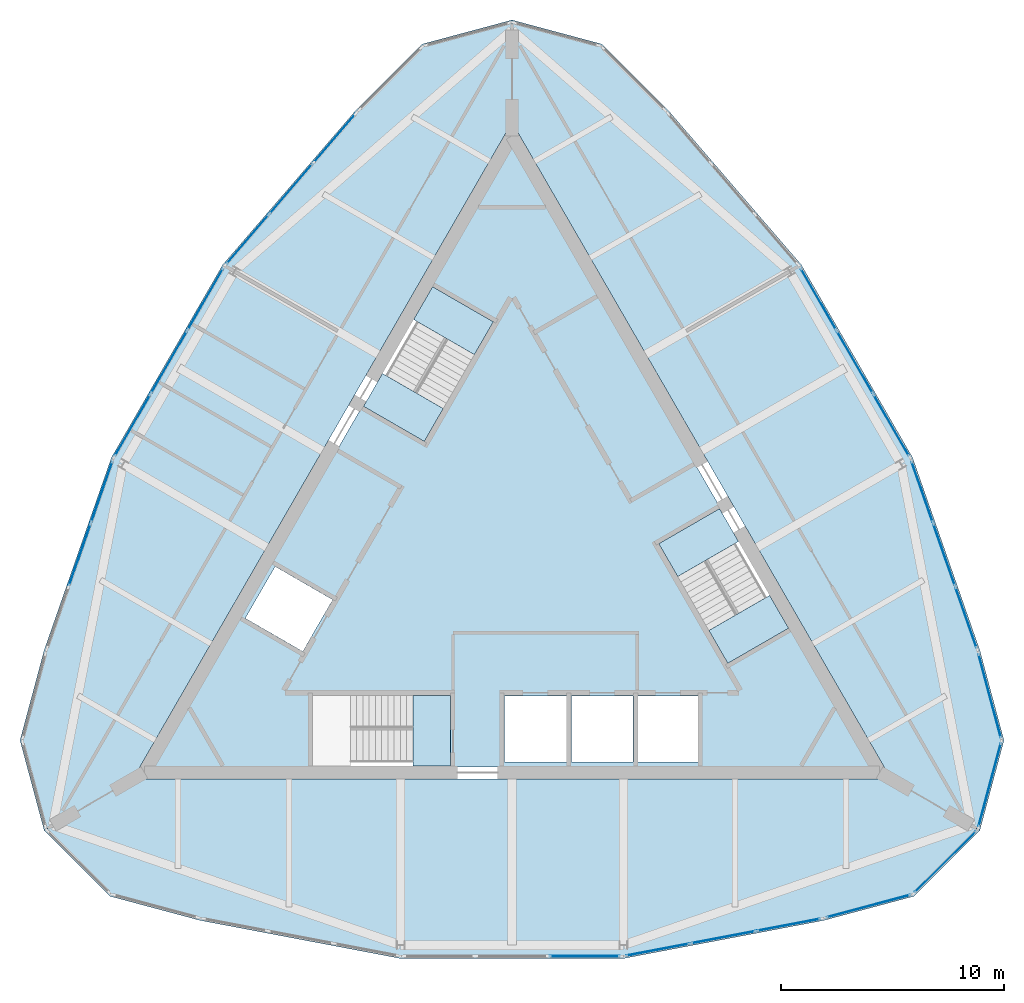
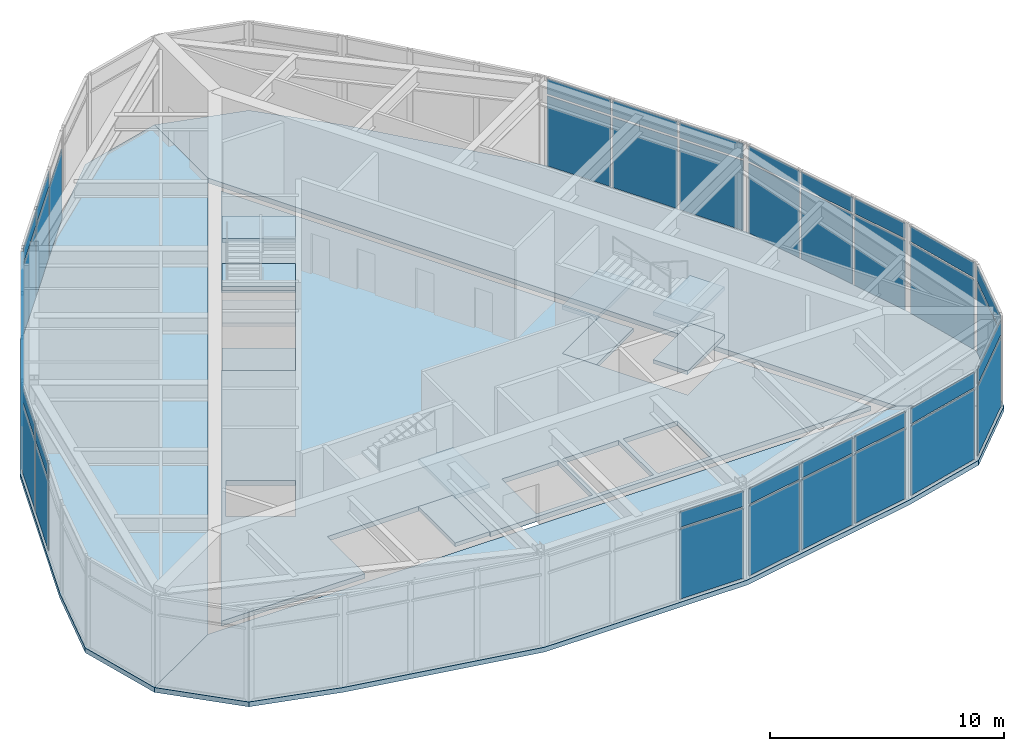
# One storey, part 5 of 9: 43 plates, 14 slabs, 14 elements without a shape of their own.
"""IFC4 building model written with IfcOpenShell, lengths in metres."""

from ifc_helpers import new_model, si_unit, direction, frame, origin, origin_2d, place, context, subcontext, project, spatial, polyline, rectangle, outline, extrude, material, layer, layer_set, type_object, element, aggregate, save


model = new_model("IFC4")

# Units and contexts
model_context = context("Model", 3, precision=1e-05, world=origin(), true_north=direction((0.0, 1.0)))
body_context = subcontext(model_context, "Body", "Model", "MODEL_VIEW")
ifc_project = project(units=[si_unit("LENGTHUNIT", "METRE"), si_unit("AREAUNIT", "SQUARE_METRE"), si_unit("VOLUMEUNIT", "CUBIC_METRE"), si_unit("PLANEANGLEUNIT", "RADIAN"), si_unit("MASSUNIT", "GRAM", prefix="KILO")], contexts=[model_context])

# Site, building, storey
site_placement = place(None, origin())
site = spatial("IfcSite", under=ifc_project, at=site_placement, CompositionType="ELEMENT")
building_placement = place(site_placement, origin())
building = spatial("IfcBuilding", under=site, at=building_placement, Name="Trikona Tower", CompositionType="ELEMENT")
storey_placement = place(building_placement, frame((0.0, 0.0, 292.800048828125)))
storey = spatial("IfcBuildingStorey", under=building, at=storey_placement, Name="L76", CompositionType="ELEMENT", Elevation=292.800048828125)

# Slabs
ifc_material_1 = material(Name="Concrete f'c 5000 psi lightweight on composite steel deck", Category="concrete")
ifc_layer_1 = layer(ifc_material_1, 0.25)
ifc_layer_set_1 = layer_set([ifc_layer_1], Name="Composite floor slab 250")
slab_type_1 = type_object("IfcSlabType", Name="Composite floor slab 250", PredefinedType="FLOOR", material=ifc_layer_set_1)
slab_1_placement = place(storey_placement, frame((0.0, 0.0, -0.25)))
element("IfcSlab", 1, at=slab_1_placement, inside=storey, type_object=slab_type_1, Name="Floor slab L76 core", PredefinedType="FLOOR", context=body_context, shape_type="SweptSolid", body=[
    extrude(outline(polyline([(-16.06689453125, -9.2763671875), (-8.949951171875, -9.2763671875), (-8.949951171875, -6.076416015625), (-2.75, -6.076416015625), (-2.75, -9.2763671875), (16.06689453125, -9.2763671875), (12.45849609375, -3.026123046875), (9.687255859375, -4.626220703125), (6.587158203125, 0.7431640625), (9.3583984375, 2.34326171875), (0.0, 18.552490234375), (-3.6083984375, 12.302490234375), (-0.837158203125, 10.702392578125), (-3.937255859375, 5.3330078125), (-6.70849609375, 6.93310546875), (-16.06689453125, -9.2763671875)]), holes=[polyline([(5.659912109375, -9.06640625), (8.340087890625, -9.06640625), (8.340087890625, -6.086181640625), (5.659912109375, -6.086181640625), (5.659912109375, -9.06640625)]), polyline([(5.43994140625, -9.06640625), (5.43994140625, -6.086181640625), (2.659912109375, -6.086181640625), (2.659912109375, -9.06640625), (5.43994140625, -9.06640625)]), polyline([(2.43994140625, -6.086181640625), (-0.340087890625, -6.086181640625), (-0.340087890625, -9.06640625), (2.43994140625, -9.06640625), (2.43994140625, -6.086181640625)]), polyline([(-11.9716796875, -2.602783203125), (-9.390869140625, -4.093017578125), (-8.05078125, -1.77197265625), (-10.631591796875, -0.281982421875), (-11.9716796875, -2.602783203125)])]), origin(), (0.0, 0.0, 1.0), 0.25),
])
slab_2_placement = place(storey_placement, frame((0.0, 0.0, -0.25)))
element("IfcSlab", 2, at=slab_2_placement, inside=storey, type_object=slab_type_1, Name="Floor slab L76 south", PredefinedType="FLOOR", context=body_context, shape_type="SweptSolid", body=[
    extrude(outline(polyline([(21.0, -12.12451171875), (17.01953125, -9.826416015625), (-17.01953125, -9.826416015625), (-21.0, -12.12451171875), (-18.04150390625, -15.0830078125), (-14.0, -16.165771484375), (-5.0, -17.875732421875), (5.0, -17.875732421875), (14.0, -16.165771484375), (18.04150390625, -15.0830078125), (21.0, -12.12451171875)])), origin(), (0.0, 0.0, 1.0), 0.25),
])
slab_3_placement = place(storey_placement, frame((0.0, 0.0, -0.25)))
element("IfcSlab", 3, at=slab_3_placement, inside=storey, type_object=slab_type_1, Name="Floor slab L76 north-east", PredefinedType="FLOOR", context=body_context, shape_type="SweptSolid", body=[
    extrude(outline(polyline([(4.04150390625, 23.165771484375), (0.0, 24.248779296875), (0.0, 19.652587890625), (17.01953125, -9.826416015625), (21.0, -12.12451171875), (22.0830078125, -8.0830078125), (21.0, -4.04150390625), (17.98095703125, 4.60791015625), (12.98095703125, 13.26806640625), (7.0, 20.207275390625), (4.04150390625, 23.165771484375)])), origin(), (0.0, 0.0, 1.0), 0.25),
])
slab_4_placement = place(storey_placement, frame((0.0, 0.0, -0.25)))
element("IfcSlab", 4, at=slab_4_placement, inside=storey, type_object=slab_type_1, Name="Floor slab L76 north-west", PredefinedType="FLOOR", context=body_context, shape_type="SweptSolid", body=[
    extrude(outline(polyline([(0.0, 19.652587890625), (0.0, 24.248779296875), (-4.04150390625, 23.165771484375), (-7.0, 20.207275390625), (-12.98095703125, 13.26806640625), (-17.98095703125, 4.60791015625), (-21.0, -4.04150390625), (-22.0830078125, -8.0830078125), (-21.0, -12.12451171875), (-17.01953125, -9.826416015625), (0.0, 19.652587890625)])), origin(), (0.0, 0.0, 1.0), 0.25),
])

# Curtain wall, plates
ifc_material_2 = material(Name="Aluminium curtain wall system", Category="aluminium")
curtain_wall_type = type_object("IfcCurtainWallType", Name="Curtain wall OB", PredefinedType="NOTDEFINED", material=ifc_material_2)
curtain_wall_1_placement = place(storey_placement, origin())
curtain_wall_1 = element("IfcCurtainWall", 5, at=curtain_wall_1_placement, inside=storey, type_object=curtain_wall_type, Name="Curtain wall OB L76", PredefinedType="NOTDEFINED")
ifc_material_3 = material(Name="Clear insulating glass unit", Category="glass")
ifc_layer_2 = layer(ifc_material_3, 0.028076171875)
ifc_layer_set_2 = layer_set([ifc_layer_2], Name="Glass panel OB")
plate_type = type_object("IfcPlateType", Name="Glass panel OB", PredefinedType="CURTAIN_PANEL", material=ifc_layer_set_2)
plate_1_placement = place(storey_placement, frame((3.268310546875, -17.77587890625, 0.10009765625), z_axis=(0.0, 0.0, 1.0), x_axis=(1.0, 0.0, 0.0)))
plate_1 = element("IfcPlate", 6, at=plate_1_placement, type_object=plate_type, Name="CW-OB panel 3.1", PredefinedType="CURTAIN_PANEL", context=body_context, shape_type="SweptSolid", body=[
    extrude(rectangle(XDim=3.143310546875, YDim=0.028076171875, at=origin_2d()), origin(), (0.0, 0.0, 1.0), 3.64990234375),
])
plate_2_placement = place(storey_placement, frame((3.268310546875, -17.77587890625, 3.85009765625), z_axis=(0.0, 0.0, 1.0), x_axis=(1.0, 0.0, 0.0)))
plate_2 = element("IfcPlate", 7, at=plate_2_placement, type_object=plate_type, Name="CW-OB panel 3.2", PredefinedType="CURTAIN_PANEL", context=body_context, shape_type="SweptSolid", body=[
    extrude(rectangle(XDim=3.143310546875, YDim=0.028076171875, at=origin_2d()), origin(), (0.0, 0.0, 1.0), 0.800048828125),
])
aggregate(curtain_wall_1, [plate_1, plate_2])

curtain_wall_2_placement = place(storey_placement, origin())
curtain_wall_2 = element("IfcCurtainWall", 8, at=curtain_wall_2_placement, inside=storey, type_object=curtain_wall_type, Name="Curtain wall OB L76", PredefinedType="NOTDEFINED")
plate_3_placement = place(storey_placement, frame((6.545166015625, -17.48046875, 0.10009765625), z_axis=(0.0, 0.0, 1.0), x_axis=(0.982424431419, 0.186660752571, 0.0)))
plate_3 = element("IfcPlate", 9, at=plate_3_placement, type_object=plate_type, Name="CW-OB panel 1.1", PredefinedType="CURTAIN_PANEL", context=body_context, shape_type="SweptSolid", body=[
    extrude(rectangle(XDim=2.86376953125, YDim=0.028076171875, at=origin_2d()), origin(), (0.0, 0.0, 1.0), 3.64990234375),
])
plate_4_placement = place(storey_placement, frame((6.545166015625, -17.48046875, 3.85009765625), z_axis=(0.0, 0.0, 1.0), x_axis=(0.982424431419, 0.186660752571, 0.0)))
plate_4 = element("IfcPlate", 10, at=plate_4_placement, type_object=plate_type, Name="CW-OB panel 1.2", PredefinedType="CURTAIN_PANEL", context=body_context, shape_type="SweptSolid", body=[
    extrude(rectangle(XDim=2.86376953125, YDim=0.028076171875, at=origin_2d()), origin(), (0.0, 0.0, 1.0), 0.800048828125),
])
plate_5_placement = place(storey_placement, frame((9.4814453125, -16.922607421875, 0.10009765625), z_axis=(0.0, 0.0, 1.0), x_axis=(0.982424431419, 0.186660752571, 0.0)))
plate_5 = element("IfcPlate", 11, at=plate_5_placement, type_object=plate_type, Name="CW-OB panel 2.1", PredefinedType="CURTAIN_PANEL", context=body_context, shape_type="SweptSolid", body=[
    extrude(rectangle(XDim=2.91357421875, YDim=0.028076171875, at=origin_2d()), origin(), (0.0, 0.0, 1.0), 3.64990234375),
])
plate_6_placement = place(storey_placement, frame((9.4814453125, -16.922607421875, 3.85009765625), z_axis=(0.0, 0.0, 1.0), x_axis=(0.982424431419, 0.186660752571, 0.0)))
plate_6 = element("IfcPlate", 12, at=plate_6_placement, type_object=plate_type, Name="CW-OB panel 2.2", PredefinedType="CURTAIN_PANEL", context=body_context, shape_type="SweptSolid", body=[
    extrude(rectangle(XDim=2.91357421875, YDim=0.028076171875, at=origin_2d()), origin(), (0.0, 0.0, 1.0), 0.800048828125),
])
plate_7_placement = place(storey_placement, frame((12.41748046875, -16.36474609375, 0.10009765625), z_axis=(0.0, 0.0, 1.0), x_axis=(0.982424431419, 0.186660752571, 0.0)))
plate_7 = element("IfcPlate", 13, at=plate_7_placement, type_object=plate_type, Name="CW-OB panel 3.1", PredefinedType="CURTAIN_PANEL", context=body_context, shape_type="SweptSolid", body=[
    extrude(rectangle(XDim=2.86376953125, YDim=0.028076171875, at=origin_2d()), origin(), (0.0, 0.0, 1.0), 3.64990234375),
])
plate_8_placement = place(storey_placement, frame((12.41748046875, -16.36474609375, 3.85009765625), z_axis=(0.0, 0.0, 1.0), x_axis=(0.982424431419, 0.186660752571, 0.0)))
plate_8 = element("IfcPlate", 14, at=plate_8_placement, type_object=plate_type, Name="CW-OB panel 3.2", PredefinedType="CURTAIN_PANEL", context=body_context, shape_type="SweptSolid", body=[
    extrude(rectangle(XDim=2.86376953125, YDim=0.028076171875, at=origin_2d()), origin(), (0.0, 0.0, 1.0), 0.800048828125),
])
aggregate(curtain_wall_2, [plate_3, plate_4, plate_5, plate_6, plate_7, plate_8])

curtain_wall_3_placement = place(storey_placement, origin())
curtain_wall_3 = element("IfcCurtainWall", 15, at=curtain_wall_3_placement, inside=storey, type_object=curtain_wall_type, Name="Curtain wall OB L76", PredefinedType="NOTDEFINED")
plate_9_placement = place(storey_placement, frame((15.994873046875, -15.52783203125, 0.10009765625), z_axis=(0.0, 0.0, 1.0), x_axis=(0.965923448705, 0.258827918204, 0.0)))
plate_9 = element("IfcPlate", 16, at=plate_9_placement, type_object=plate_type, Name="CW-OB panel 1.1", PredefinedType="CURTAIN_PANEL", context=body_context, shape_type="SweptSolid", body=[
    extrude(rectangle(XDim=3.864013671875, YDim=0.028076171875, at=origin_2d()), origin(), (0.0, 0.0, 1.0), 3.64990234375),
])
plate_10_placement = place(storey_placement, frame((15.994873046875, -15.52783203125, 3.85009765625), z_axis=(0.0, 0.0, 1.0), x_axis=(0.965923448705, 0.258827918204, 0.0)))
plate_10 = element("IfcPlate", 17, at=plate_10_placement, type_object=plate_type, Name="CW-OB panel 1.2", PredefinedType="CURTAIN_PANEL", context=body_context, shape_type="SweptSolid", body=[
    extrude(rectangle(XDim=3.864013671875, YDim=0.028076171875, at=origin_2d()), origin(), (0.0, 0.0, 1.0), 0.800048828125),
])
aggregate(curtain_wall_3, [plate_9, plate_10])

curtain_wall_4_placement = place(storey_placement, origin())
curtain_wall_4 = element("IfcCurtainWall", 18, at=curtain_wall_4_placement, inside=storey, type_object=curtain_wall_type, Name="Curtain wall OB L76", PredefinedType="NOTDEFINED")
plate_11_placement = place(storey_placement, frame((19.449951171875, -13.532958984375, 0.10009765625), z_axis=(0.0, 0.0, 1.0), x_axis=(0.707106781187, 0.707106781187, 0.0)))
plate_11 = element("IfcPlate", 19, at=plate_11_placement, type_object=plate_type, Name="CW-OB panel 1.1", PredefinedType="CURTAIN_PANEL", context=body_context, shape_type="SweptSolid", body=[
    extrude(rectangle(XDim=3.864013671875, YDim=0.028076171875, at=origin_2d()), origin(), (0.0, 0.0, 1.0), 3.64990234375),
])
plate_12_placement = place(storey_placement, frame((19.449951171875, -13.532958984375, 3.85009765625), z_axis=(0.0, 0.0, 1.0), x_axis=(0.707106781187, 0.707106781187, 0.0)))
plate_12 = element("IfcPlate", 20, at=plate_12_placement, type_object=plate_type, Name="CW-OB panel 1.2", PredefinedType="CURTAIN_PANEL", context=body_context, shape_type="SweptSolid", body=[
    extrude(rectangle(XDim=3.864013671875, YDim=0.028076171875, at=origin_2d()), origin(), (0.0, 0.0, 1.0), 0.800048828125),
])
aggregate(curtain_wall_4, [plate_11, plate_12])

curtain_wall_5_placement = place(storey_placement, origin())
curtain_wall_5 = element("IfcCurtainWall", 21, at=curtain_wall_5_placement, inside=storey, type_object=curtain_wall_type, Name="Curtain wall OB L76", PredefinedType="NOTDEFINED")
plate_13_placement = place(storey_placement, frame((21.44482421875, -10.077880859375, 0.10009765625), z_axis=(0.0, 0.0, 1.0), x_axis=(0.258827918204, 0.965923448705, 0.0)))
plate_13 = element("IfcPlate", 22, at=plate_13_placement, type_object=plate_type, Name="CW-OB panel 1.1", PredefinedType="CURTAIN_PANEL", context=body_context, shape_type="SweptSolid", body=[
    extrude(rectangle(XDim=3.864013671875, YDim=0.028076171875, at=origin_2d()), origin(), (0.0, 0.0, 1.0), 3.64990234375),
])
plate_14_placement = place(storey_placement, frame((21.44482421875, -10.077880859375, 3.85009765625), z_axis=(0.0, 0.0, 1.0), x_axis=(0.258827918204, 0.965923448705, 0.0)))
plate_14 = element("IfcPlate", 23, at=plate_14_placement, type_object=plate_type, Name="CW-OB panel 1.2", PredefinedType="CURTAIN_PANEL", context=body_context, shape_type="SweptSolid", body=[
    extrude(rectangle(XDim=3.864013671875, YDim=0.028076171875, at=origin_2d()), origin(), (0.0, 0.0, 1.0), 0.800048828125),
])
aggregate(curtain_wall_5, [plate_13, plate_14])

curtain_wall_6_placement = place(storey_placement, origin())
curtain_wall_6 = element("IfcCurtainWall", 24, at=curtain_wall_6_placement, inside=storey, type_object=curtain_wall_type, Name="Curtain wall OB L76", PredefinedType="NOTDEFINED")
plate_15_placement = place(storey_placement, frame((21.44482421875, -6.088134765625, 0.10009765625), z_axis=(0.0, 0.0, 1.0), x_axis=(-0.258834069983, 0.965921800259, 0.0)))
plate_15 = element("IfcPlate", 25, at=plate_15_placement, type_object=plate_type, Name="CW-OB panel 1.1", PredefinedType="CURTAIN_PANEL", context=body_context, shape_type="SweptSolid", body=[
    extrude(rectangle(XDim=3.864013671875, YDim=0.028076171875, at=origin_2d()), origin(), (0.0, 0.0, 1.0), 3.64990234375),
])
plate_16_placement = place(storey_placement, frame((21.44482421875, -6.088134765625, 3.85009765625), z_axis=(0.0, 0.0, 1.0), x_axis=(-0.258834069983, 0.965921800259, 0.0)))
plate_16 = element("IfcPlate", 26, at=plate_16_placement, type_object=plate_type, Name="CW-OB panel 1.2", PredefinedType="CURTAIN_PANEL", context=body_context, shape_type="SweptSolid", body=[
    extrude(rectangle(XDim=3.864013671875, YDim=0.028076171875, at=origin_2d()), origin(), (0.0, 0.0, 1.0), 0.800048828125),
])
aggregate(curtain_wall_6, [plate_15, plate_16])

curtain_wall_7_placement = place(storey_placement, origin())
curtain_wall_7 = element("IfcCurtainWall", 27, at=curtain_wall_7_placement, inside=storey, type_object=curtain_wall_type, Name="Curtain wall OB L76", PredefinedType="NOTDEFINED")
plate_17_placement = place(storey_placement, frame((20.380859375, -2.571533203125, 0.10009765625), z_axis=(0.0, 0.0, 1.0), x_axis=(-0.329552165935, 0.944137368145, 0.0)))
plate_17 = element("IfcPlate", 28, at=plate_17_placement, type_object=plate_type, Name="CW-OB panel 1.1", PredefinedType="CURTAIN_PANEL", context=body_context, shape_type="SweptSolid", body=[
    extrude(rectangle(XDim=2.86376953125, YDim=0.028076171875, at=origin_2d()), origin(), (0.0, 0.0, 1.0), 3.64990234375),
])
plate_18_placement = place(storey_placement, frame((20.380859375, -2.571533203125, 3.85009765625), z_axis=(0.0, 0.0, 1.0), x_axis=(-0.329552165935, 0.944137368145, 0.0)))
plate_18 = element("IfcPlate", 29, at=plate_18_placement, type_object=plate_type, Name="CW-OB panel 1.2", PredefinedType="CURTAIN_PANEL", context=body_context, shape_type="SweptSolid", body=[
    extrude(rectangle(XDim=2.86376953125, YDim=0.028076171875, at=origin_2d()), origin(), (0.0, 0.0, 1.0), 0.800048828125),
])
plate_19_placement = place(storey_placement, frame((19.39599609375, 0.250244140625, 0.10009765625), z_axis=(0.0, 0.0, 1.0), x_axis=(-0.329552165935, 0.944137368145, 0.0)))
plate_19 = element("IfcPlate", 30, at=plate_19_placement, type_object=plate_type, Name="CW-OB panel 2.1", PredefinedType="CURTAIN_PANEL", context=body_context, shape_type="SweptSolid", body=[
    extrude(rectangle(XDim=2.91357421875, YDim=0.028076171875, at=origin_2d()), origin(), (0.0, 0.0, 1.0), 3.64990234375),
])
plate_20_placement = place(storey_placement, frame((19.39599609375, 0.250244140625, 3.85009765625), z_axis=(0.0, 0.0, 1.0), x_axis=(-0.329552165935, 0.944137368145, 0.0)))
plate_20 = element("IfcPlate", 31, at=plate_20_placement, type_object=plate_type, Name="CW-OB panel 2.2", PredefinedType="CURTAIN_PANEL", context=body_context, shape_type="SweptSolid", body=[
    extrude(rectangle(XDim=2.91357421875, YDim=0.028076171875, at=origin_2d()), origin(), (0.0, 0.0, 1.0), 0.800048828125),
])
plate_21_placement = place(storey_placement, frame((18.4111328125, 3.072021484375, 0.10009765625), z_axis=(0.0, 0.0, 1.0), x_axis=(-0.329552165935, 0.944137368145, 0.0)))
plate_21 = element("IfcPlate", 32, at=plate_21_placement, type_object=plate_type, Name="CW-OB panel 3.1", PredefinedType="CURTAIN_PANEL", context=body_context, shape_type="SweptSolid", body=[
    extrude(rectangle(XDim=2.86376953125, YDim=0.028076171875, at=origin_2d()), origin(), (0.0, 0.0, 1.0), 3.64990234375),
])
plate_22_placement = place(storey_placement, frame((18.4111328125, 3.072021484375, 3.85009765625), z_axis=(0.0, 0.0, 1.0), x_axis=(-0.329552165935, 0.944137368145, 0.0)))
plate_22 = element("IfcPlate", 33, at=plate_22_placement, type_object=plate_type, Name="CW-OB panel 3.2", PredefinedType="CURTAIN_PANEL", context=body_context, shape_type="SweptSolid", body=[
    extrude(rectangle(XDim=2.86376953125, YDim=0.028076171875, at=origin_2d()), origin(), (0.0, 0.0, 1.0), 0.800048828125),
])
aggregate(curtain_wall_7, [plate_17, plate_18, plate_19, plate_20, plate_21, plate_22])

curtain_wall_8_placement = place(storey_placement, origin())
curtain_wall_8 = element("IfcCurtainWall", 34, at=curtain_wall_8_placement, inside=storey, type_object=curtain_wall_type, Name="Curtain wall OB L76", PredefinedType="NOTDEFINED")
plate_23_placement = place(storey_placement, frame((17.028564453125, 6.057373046875, 0.10009765625), z_axis=(0.0, 0.0, 1.0), x_axis=(-0.500005740951, 0.866022089219, 0.0)))
plate_23 = element("IfcPlate", 35, at=plate_23_placement, type_object=plate_type, Name="CW-OB panel 1.1", PredefinedType="CURTAIN_PANEL", context=body_context, shape_type="SweptSolid", body=[
    extrude(rectangle(XDim=3.143310546875, YDim=0.028076171875, at=origin_2d()), origin(), (0.0, 0.0, 1.0), 3.64990234375),
])
plate_24_placement = place(storey_placement, frame((17.028564453125, 6.057373046875, 3.85009765625), z_axis=(0.0, 0.0, 1.0), x_axis=(-0.500005740951, 0.866022089219, 0.0)))
plate_24 = element("IfcPlate", 36, at=plate_24_placement, type_object=plate_type, Name="CW-OB panel 1.2", PredefinedType="CURTAIN_PANEL", context=body_context, shape_type="SweptSolid", body=[
    extrude(rectangle(XDim=3.143310546875, YDim=0.028076171875, at=origin_2d()), origin(), (0.0, 0.0, 1.0), 0.800048828125),
])
plate_25_placement = place(storey_placement, frame((15.394287109375, 8.887939453125, 0.10009765625), z_axis=(0.0, 0.0, 1.0), x_axis=(-0.500005740951, 0.866022089219, 0.0)))
plate_25 = element("IfcPlate", 37, at=plate_25_placement, type_object=plate_type, Name="CW-OB panel 2.1", PredefinedType="CURTAIN_PANEL", context=body_context, shape_type="SweptSolid", body=[
    extrude(rectangle(XDim=3.193359375, YDim=0.028076171875, at=origin_2d()), origin(), (0.0, 0.0, 1.0), 3.64990234375),
])
plate_26_placement = place(storey_placement, frame((15.394287109375, 8.887939453125, 3.85009765625), z_axis=(0.0, 0.0, 1.0), x_axis=(-0.500005740951, 0.866022089219, 0.0)))
plate_26 = element("IfcPlate", 38, at=plate_26_placement, type_object=plate_type, Name="CW-OB panel 2.2", PredefinedType="CURTAIN_PANEL", context=body_context, shape_type="SweptSolid", body=[
    extrude(rectangle(XDim=3.193359375, YDim=0.028076171875, at=origin_2d()), origin(), (0.0, 0.0, 1.0), 0.800048828125),
])
plate_27_placement = place(storey_placement, frame((13.76025390625, 11.71826171875, 0.10009765625), z_axis=(0.0, 0.0, 1.0), x_axis=(-0.500005740951, 0.866022089219, 0.0)))
plate_27 = element("IfcPlate", 39, at=plate_27_placement, type_object=plate_type, Name="CW-OB panel 3.1", PredefinedType="CURTAIN_PANEL", context=body_context, shape_type="SweptSolid", body=[
    extrude(rectangle(XDim=3.143310546875, YDim=0.028076171875, at=origin_2d()), origin(), (0.0, 0.0, 1.0), 3.64990234375),
])
plate_28_placement = place(storey_placement, frame((13.76025390625, 11.71826171875, 3.85009765625), z_axis=(0.0, 0.0, 1.0), x_axis=(-0.500005740951, 0.866022089219, 0.0)))
plate_28 = element("IfcPlate", 40, at=plate_28_placement, type_object=plate_type, Name="CW-OB panel 3.2", PredefinedType="CURTAIN_PANEL", context=body_context, shape_type="SweptSolid", body=[
    extrude(rectangle(XDim=3.143310546875, YDim=0.028076171875, at=origin_2d()), origin(), (0.0, 0.0, 1.0), 0.800048828125),
])
aggregate(curtain_wall_8, [plate_23, plate_24, plate_25, plate_26, plate_27, plate_28])

curtain_wall_9_placement = place(storey_placement, origin())
curtain_wall_9 = element("IfcCurtainWall", 41, at=curtain_wall_9_placement, inside=storey, type_object=curtain_wall_type, Name="Curtain wall OB L76", PredefinedType="NOTDEFINED")
plate_29_placement = place(storey_placement, frame((-7.96337890625, 18.936279296875, 0.10009765625), z_axis=(0.0, 0.0, 1.0), x_axis=(-0.652863914707, -0.757475219973, 0.0)))
plate_29 = element("IfcPlate", 42, at=plate_29_placement, type_object=plate_type, Name="CW-OB panel 1.1", PredefinedType="CURTAIN_PANEL", context=body_context, shape_type="SweptSolid", body=[
    extrude(rectangle(XDim=2.86376953125, YDim=0.028076171875, at=origin_2d()), origin(), (0.0, 0.0, 1.0), 3.64990234375),
])
plate_30_placement = place(storey_placement, frame((-9.914794921875, 16.67236328125, 0.10009765625), z_axis=(0.0, 0.0, 1.0), x_axis=(-0.652863914707, -0.757475219973, 0.0)))
plate_30 = element("IfcPlate", 43, at=plate_30_placement, type_object=plate_type, Name="CW-OB panel 2.1", PredefinedType="CURTAIN_PANEL", context=body_context, shape_type="SweptSolid", body=[
    extrude(rectangle(XDim=2.91357421875, YDim=0.028076171875, at=origin_2d()), origin(), (0.0, 0.0, 1.0), 3.64990234375),
])
plate_31_placement = place(storey_placement, frame((-9.914794921875, 16.67236328125, 3.85009765625), z_axis=(0.0, 0.0, 1.0), x_axis=(-0.652863914707, -0.757475219973, 0.0)))
plate_31 = element("IfcPlate", 44, at=plate_31_placement, type_object=plate_type, Name="CW-OB panel 2.2", PredefinedType="CURTAIN_PANEL", context=body_context, shape_type="SweptSolid", body=[
    extrude(rectangle(XDim=2.91357421875, YDim=0.028076171875, at=origin_2d()), origin(), (0.0, 0.0, 1.0), 0.800048828125),
])
plate_32_placement = place(storey_placement, frame((-11.865966796875, 14.408447265625, 0.10009765625), z_axis=(0.0, 0.0, 1.0), x_axis=(-0.652863914707, -0.757475219973, 0.0)))
plate_32 = element("IfcPlate", 45, at=plate_32_placement, type_object=plate_type, Name="CW-OB panel 3.1", PredefinedType="CURTAIN_PANEL", context=body_context, shape_type="SweptSolid", body=[
    extrude(rectangle(XDim=2.86376953125, YDim=0.028076171875, at=origin_2d()), origin(), (0.0, 0.0, 1.0), 3.64990234375),
])
plate_33_placement = place(storey_placement, frame((-11.865966796875, 14.408447265625, 3.85009765625), z_axis=(0.0, 0.0, 1.0), x_axis=(-0.652863914707, -0.757475219973, 0.0)))
plate_33 = element("IfcPlate", 46, at=plate_33_placement, type_object=plate_type, Name="CW-OB panel 3.2", PredefinedType="CURTAIN_PANEL", context=body_context, shape_type="SweptSolid", body=[
    extrude(rectangle(XDim=2.86376953125, YDim=0.028076171875, at=origin_2d()), origin(), (0.0, 0.0, 1.0), 0.800048828125),
])
aggregate(curtain_wall_9, [plate_29, plate_30, plate_31, plate_32, plate_33])

curtain_wall_10_placement = place(storey_placement, origin())
curtain_wall_10 = element("IfcCurtainWall", 47, at=curtain_wall_10_placement, inside=storey, type_object=curtain_wall_type, Name="Curtain wall OB L76", PredefinedType="NOTDEFINED")
plate_34_placement = place(storey_placement, frame((-13.76025390625, 11.71826171875, 0.10009765625), z_axis=(0.0, 0.0, 1.0), x_axis=(-0.500005740951, -0.866022089219, 0.0)))
plate_34 = element("IfcPlate", 48, at=plate_34_placement, type_object=plate_type, Name="CW-OB panel 1.1", PredefinedType="CURTAIN_PANEL", context=body_context, shape_type="SweptSolid", body=[
    extrude(rectangle(XDim=3.143310546875, YDim=0.028076171875, at=origin_2d()), origin(), (0.0, 0.0, 1.0), 3.64990234375),
])
plate_35_placement = place(storey_placement, frame((-13.76025390625, 11.71826171875, 3.85009765625), z_axis=(0.0, 0.0, 1.0), x_axis=(-0.500005740951, -0.866022089219, 0.0)))
plate_35 = element("IfcPlate", 49, at=plate_35_placement, type_object=plate_type, Name="CW-OB panel 1.2", PredefinedType="CURTAIN_PANEL", context=body_context, shape_type="SweptSolid", body=[
    extrude(rectangle(XDim=3.143310546875, YDim=0.028076171875, at=origin_2d()), origin(), (0.0, 0.0, 1.0), 0.800048828125),
])
plate_36_placement = place(storey_placement, frame((-15.394287109375, 8.887939453125, 0.10009765625), z_axis=(0.0, 0.0, 1.0), x_axis=(-0.500005740951, -0.866022089219, 0.0)))
plate_36 = element("IfcPlate", 50, at=plate_36_placement, type_object=plate_type, Name="CW-OB panel 2.1", PredefinedType="CURTAIN_PANEL", context=body_context, shape_type="SweptSolid", body=[
    extrude(rectangle(XDim=3.193359375, YDim=0.028076171875, at=origin_2d()), origin(), (0.0, 0.0, 1.0), 3.64990234375),
])
plate_37_placement = place(storey_placement, frame((-15.394287109375, 8.887939453125, 3.85009765625), z_axis=(0.0, 0.0, 1.0), x_axis=(-0.500005740951, -0.866022089219, 0.0)))
plate_37 = element("IfcPlate", 51, at=plate_37_placement, type_object=plate_type, Name="CW-OB panel 2.2", PredefinedType="CURTAIN_PANEL", context=body_context, shape_type="SweptSolid", body=[
    extrude(rectangle(XDim=3.193359375, YDim=0.028076171875, at=origin_2d()), origin(), (0.0, 0.0, 1.0), 0.800048828125),
])
plate_38_placement = place(storey_placement, frame((-17.028564453125, 6.057373046875, 0.10009765625), z_axis=(0.0, 0.0, 1.0), x_axis=(-0.500005740951, -0.866022089219, 0.0)))
plate_38 = element("IfcPlate", 52, at=plate_38_placement, type_object=plate_type, Name="CW-OB panel 3.1", PredefinedType="CURTAIN_PANEL", context=body_context, shape_type="SweptSolid", body=[
    extrude(rectangle(XDim=3.143310546875, YDim=0.028076171875, at=origin_2d()), origin(), (0.0, 0.0, 1.0), 3.64990234375),
])
plate_39_placement = place(storey_placement, frame((-17.028564453125, 6.057373046875, 3.85009765625), z_axis=(0.0, 0.0, 1.0), x_axis=(-0.500005740951, -0.866022089219, 0.0)))
plate_39 = element("IfcPlate", 53, at=plate_39_placement, type_object=plate_type, Name="CW-OB panel 3.2", PredefinedType="CURTAIN_PANEL", context=body_context, shape_type="SweptSolid", body=[
    extrude(rectangle(XDim=3.143310546875, YDim=0.028076171875, at=origin_2d()), origin(), (0.0, 0.0, 1.0), 0.800048828125),
])
aggregate(curtain_wall_10, [plate_34, plate_35, plate_36, plate_37, plate_38, plate_39])

curtain_wall_11_placement = place(storey_placement, origin())
curtain_wall_11 = element("IfcCurtainWall", 54, at=curtain_wall_11_placement, inside=storey, type_object=curtain_wall_type, Name="Curtain wall OB L76", PredefinedType="NOTDEFINED")
plate_40_placement = place(storey_placement, frame((-18.4111328125, 3.072021484375, 0.10009765625), z_axis=(0.0, 0.0, 1.0), x_axis=(-0.329552165935, -0.944137368145, 0.0)))
plate_40 = element("IfcPlate", 55, at=plate_40_placement, type_object=plate_type, Name="CW-OB panel 1.1", PredefinedType="CURTAIN_PANEL", context=body_context, shape_type="SweptSolid", body=[
    extrude(rectangle(XDim=2.86376953125, YDim=0.028076171875, at=origin_2d()), origin(), (0.0, 0.0, 1.0), 3.64990234375),
])
plate_41_placement = place(storey_placement, frame((-18.4111328125, 3.072021484375, 3.85009765625), z_axis=(0.0, 0.0, 1.0), x_axis=(-0.329552165935, -0.944137368145, 0.0)))
plate_41 = element("IfcPlate", 56, at=plate_41_placement, type_object=plate_type, Name="CW-OB panel 1.2", PredefinedType="CURTAIN_PANEL", context=body_context, shape_type="SweptSolid", body=[
    extrude(rectangle(XDim=2.86376953125, YDim=0.028076171875, at=origin_2d()), origin(), (0.0, 0.0, 1.0), 0.800048828125),
])
plate_42_placement = place(storey_placement, frame((-19.39599609375, 0.250244140625, 0.10009765625), z_axis=(0.0, 0.0, 1.0), x_axis=(-0.329552165935, -0.944137368145, 0.0)))
plate_42 = element("IfcPlate", 57, at=plate_42_placement, type_object=plate_type, Name="CW-OB panel 2.1", PredefinedType="CURTAIN_PANEL", context=body_context, shape_type="SweptSolid", body=[
    extrude(rectangle(XDim=2.91357421875, YDim=0.028076171875, at=origin_2d()), origin(), (0.0, 0.0, 1.0), 3.64990234375),
])
plate_43_placement = place(storey_placement, frame((-19.39599609375, 0.250244140625, 3.85009765625), z_axis=(0.0, 0.0, 1.0), x_axis=(-0.329552165935, -0.944137368145, 0.0)))
plate_43 = element("IfcPlate", 58, at=plate_43_placement, type_object=plate_type, Name="CW-OB panel 2.2", PredefinedType="CURTAIN_PANEL", context=body_context, shape_type="SweptSolid", body=[
    extrude(rectangle(XDim=2.91357421875, YDim=0.028076171875, at=origin_2d()), origin(), (0.0, 0.0, 1.0), 0.800048828125),
])
aggregate(curtain_wall_11, [plate_40, plate_41, plate_42, plate_43])

# Stair, slabs
ifc_material_4 = material(Name="Concrete f'c 5000 psi", Category="concrete")
stair_type = type_object("IfcStairType", Name="Core stair", PredefinedType="HALF_TURN_STAIR", material=ifc_material_4)
stair_1_placement = place(storey_placement, origin())
stair_1 = element("IfcStair", 59, at=stair_1_placement, inside=storey, type_object=stair_type, Name="Stair A L76", PredefinedType="HALF_TURN_STAIR")
ifc_material_5 = material(Name="Concrete f'c 5000 psi", Category="concrete")
ifc_layer_3 = layer(ifc_material_5, 0.199951171875)
ifc_layer_set_3 = layer_set([ifc_layer_3], Name="Stair landing 200")
slab_type_2 = type_object("IfcSlabType", Name="Stair landing 200", PredefinedType="LANDING", material=ifc_layer_set_3)
slab_5_placement = place(storey_placement, frame((0.0, 0.0, -0.199951171875)))
slab_5 = element("IfcSlab", 60, at=slab_5_placement, type_object=slab_type_2, Name="ST-A landing 1", PredefinedType="LANDING", context=body_context, shape_type="SweptSolid", body=[
    extrude(outline(polyline([(-4.452880859375, -6.076416015625), (-2.75, -6.076416015625), (-2.75, -9.226318359375), (-4.452880859375, -9.226318359375), (-4.452880859375, -6.076416015625)])), origin(), (0.0, 0.0, 1.0), 0.199951171875),
])
slab_6_placement = place(storey_placement, frame((0.0, 0.0, 2.300048828125)))
slab_6 = element("IfcSlab", 61, at=slab_6_placement, type_object=slab_type_2, Name="ST-A landing 3", PredefinedType="LANDING", context=body_context, shape_type="SweptSolid", body=[
    extrude(outline(polyline([(-4.452880859375, -6.076416015625), (-2.75, -6.076416015625), (-2.75, -9.226318359375), (-4.452880859375, -9.226318359375), (-4.452880859375, -6.076416015625)])), origin(), (0.0, 0.0, 1.0), 0.199951171875),
])
aggregate(stair_1, [slab_5, slab_6])

stair_2_placement = place(storey_placement, origin())
stair_2 = element("IfcStair", 62, at=stair_2_placement, inside=storey, type_object=stair_type, Name="Stair B L76", PredefinedType="HALF_TURN_STAIR")
slab_7_placement = place(storey_placement, frame((0.0, 0.0, -0.199951171875)))
slab_7 = element("IfcSlab", 63, at=slab_7_placement, type_object=slab_type_2, Name="ST-B landing 1", PredefinedType="LANDING", context=body_context, shape_type="SweptSolid", body=[
    extrude(outline(polyline([(7.438720703125, -0.731689453125), (6.587158203125, 0.7431640625), (9.315185546875, 2.318115234375), (10.166748046875, 0.84326171875), (7.438720703125, -0.731689453125)])), origin(), (0.0, 0.0, 1.0), 0.199951171875),
])
slab_8_placement = place(storey_placement, frame((0.0, 0.0, 1.050048828125)))
slab_8 = element("IfcSlab", 64, at=slab_8_placement, type_object=slab_type_2, Name="ST-B landing 2", PredefinedType="LANDING", context=body_context, shape_type="SweptSolid", body=[
    extrude(outline(polyline([(9.687255859375, -4.626220703125), (8.835693359375, -3.1513671875), (11.563720703125, -1.576416015625), (12.415283203125, -3.05126953125), (9.687255859375, -4.626220703125)])), origin(), (0.0, 0.0, 1.0), 0.199951171875),
])
slab_9_placement = place(storey_placement, frame((0.0, 0.0, 2.300048828125)))
slab_9 = element("IfcSlab", 65, at=slab_9_placement, type_object=slab_type_2, Name="ST-B landing 3", PredefinedType="LANDING", context=body_context, shape_type="SweptSolid", body=[
    extrude(outline(polyline([(7.438720703125, -0.731689453125), (6.587158203125, 0.7431640625), (9.315185546875, 2.318115234375), (10.166748046875, 0.84326171875), (7.438720703125, -0.731689453125)])), origin(), (0.0, 0.0, 1.0), 0.199951171875),
])
slab_10_placement = place(storey_placement, frame((0.0, 0.0, 3.550048828125)))
slab_10 = element("IfcSlab", 66, at=slab_10_placement, type_object=slab_type_2, Name="ST-B landing 4", PredefinedType="LANDING", context=body_context, shape_type="SweptSolid", body=[
    extrude(outline(polyline([(9.687255859375, -4.626220703125), (8.835693359375, -3.1513671875), (11.563720703125, -1.576416015625), (12.415283203125, -3.05126953125), (9.687255859375, -4.626220703125)])), origin(), (0.0, 0.0, 1.0), 0.199951171875),
])
aggregate(stair_2, [slab_7, slab_8, slab_9, slab_10])

stair_3_placement = place(storey_placement, origin())
stair_3 = element("IfcStair", 67, at=stair_3_placement, inside=storey, type_object=stair_type, Name="Stair C L76", PredefinedType="HALF_TURN_STAIR")
slab_11_placement = place(storey_placement, frame((0.0, 0.0, -0.199951171875)))
slab_11 = element("IfcSlab", 68, at=slab_11_placement, type_object=slab_type_2, Name="ST-C landing 1", PredefinedType="LANDING", context=body_context, shape_type="SweptSolid", body=[
    extrude(outline(polyline([(-3.085693359375, 6.807861328125), (-3.937255859375, 5.3330078125), (-6.665283203125, 6.908203125), (-5.813720703125, 8.3828125), (-3.085693359375, 6.807861328125)])), origin(), (0.0, 0.0, 1.0), 0.199951171875),
])
slab_12_placement = place(storey_placement, frame((0.0, 0.0, 1.050048828125)))
slab_12 = element("IfcSlab", 69, at=slab_12_placement, type_object=slab_type_2, Name="ST-C landing 2", PredefinedType="LANDING", context=body_context, shape_type="SweptSolid", body=[
    extrude(outline(polyline([(-0.837158203125, 10.702392578125), (-1.688720703125, 9.2275390625), (-4.416748046875, 10.802490234375), (-3.565185546875, 12.277587890625), (-0.837158203125, 10.702392578125)])), origin(), (0.0, 0.0, 1.0), 0.199951171875),
])
slab_13_placement = place(storey_placement, frame((0.0, 0.0, 2.300048828125)))
slab_13 = element("IfcSlab", 70, at=slab_13_placement, type_object=slab_type_2, Name="ST-C landing 3", PredefinedType="LANDING", context=body_context, shape_type="SweptSolid", body=[
    extrude(outline(polyline([(-3.085693359375, 6.807861328125), (-3.937255859375, 5.3330078125), (-6.665283203125, 6.908203125), (-5.813720703125, 8.3828125), (-3.085693359375, 6.807861328125)])), origin(), (0.0, 0.0, 1.0), 0.199951171875),
])
slab_14_placement = place(storey_placement, frame((0.0, 0.0, 3.550048828125)))
slab_14 = element("IfcSlab", 71, at=slab_14_placement, type_object=slab_type_2, Name="ST-C landing 4", PredefinedType="LANDING", context=body_context, shape_type="SweptSolid", body=[
    extrude(outline(polyline([(-0.837158203125, 10.702392578125), (-1.688720703125, 9.2275390625), (-4.416748046875, 10.802490234375), (-3.565185546875, 12.277587890625), (-0.837158203125, 10.702392578125)])), origin(), (0.0, 0.0, 1.0), 0.199951171875),
])
aggregate(stair_3, [slab_11, slab_12, slab_13, slab_14])

save(model, "model.ifc")
